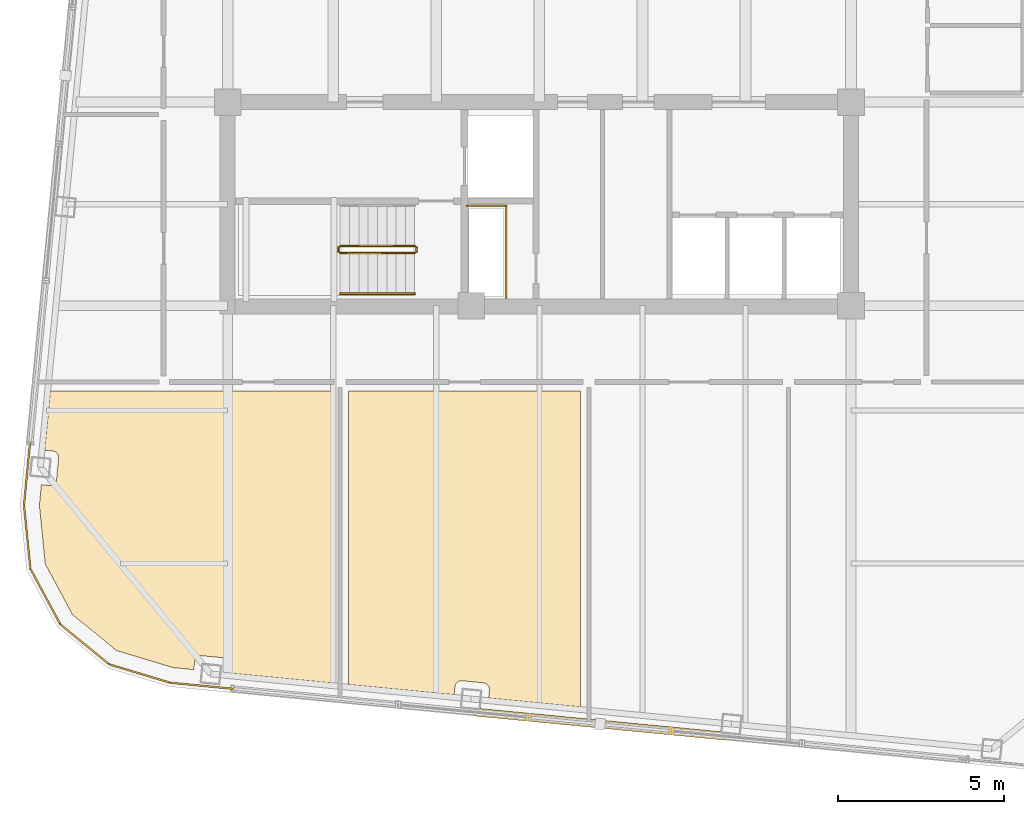
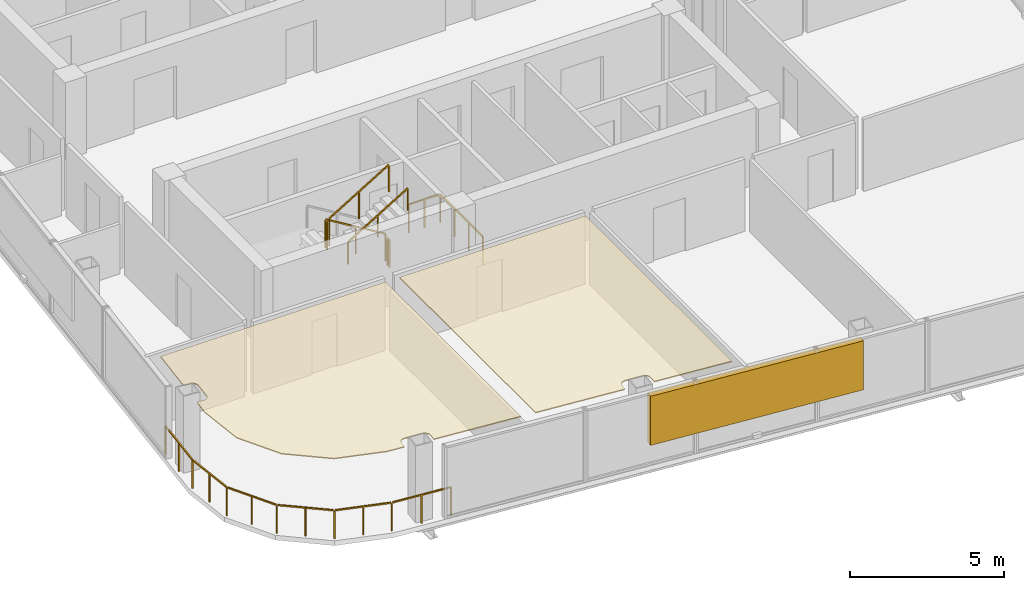
# One storey, part 20 of 23: 7 railings, 2 coverings, 1 shading device.
"""IFC4 building model written with IfcOpenShell, lengths in metres."""

from ifc_helpers import new_model, si_unit, direction, frame, origin, origin_2d, place, context, subcontext, project, spatial, polyline, rectangle, outline, extrude, material, layer, layer_set, type_object, element, save


model = new_model("IFC4")

# Units and contexts
model_context = context("Model", 3, precision=1e-05, world=origin(), true_north=direction((0.0, 1.0)))
body_context = subcontext(model_context, "Body", "Model", "MODEL_VIEW")
ifc_project = project(units=[si_unit("LENGTHUNIT", "METRE"), si_unit("AREAUNIT", "SQUARE_METRE"), si_unit("VOLUMEUNIT", "CUBIC_METRE"), si_unit("PLANEANGLEUNIT", "RADIAN"), si_unit("MASSUNIT", "GRAM", prefix="KILO")], contexts=[model_context])

# Site, building, storey
site_placement = place(None, origin())
site = spatial("IfcSite", under=ifc_project, at=site_placement, CompositionType="ELEMENT")
building_placement = place(site_placement, origin())
building = spatial("IfcBuilding", under=site, at=building_placement, Name="Qhalaya Broadcast Tower", CompositionType="ELEMENT")
storey_placement = place(building_placement, frame((0.0, 0.0, 264.199951171875)))
storey = spatial("IfcBuildingStorey", under=building, at=storey_placement, Name="L78", CompositionType="ELEMENT", Elevation=264.199951171875)

# Coverings
ifc_material_1 = material(Name="Acoustic Mineral-Fibre Ceiling")
ifc_layer = layer(ifc_material_1, 0.0400390625, Name="Acoustic Mineral-Fibre Ceiling")
ifc_layer_set = layer_set([ifc_layer], Name="Acoustic Mineral-Fibre Ceiling")
covering_type = type_object("IfcCoveringType", Name="Acoustic Mineral-Fibre Suspended Ceiling CLG-01", PredefinedType="CEILING", material=ifc_layer_set)
covering_1_placement = place(storey_placement, frame((0.0, 0.0, 2.820068359375)))
element("IfcCovering", 1, at=covering_1_placement, inside=storey, type_object=covering_type, Name="L78 Acoustic Suspended Ceiling 01", PredefinedType="CEILING", context=body_context, shape_type="SweptSolid", body=[
    extrude(outline(polyline([(-9.357666015625, -19.798583984375), (-6.260009765625, -20.096923828125), (-6.260009765625, -11.31005859375), (-14.708740234375, -11.31005859375), (-14.880859375, -13.098388671875), (-14.64208984375, -13.121337890625), (-14.62255859375, -13.124267578125), (-14.603515625, -13.12890625), (-14.585205078125, -13.135498046875), (-14.5673828125, -13.143798828125), (-14.550537109375, -13.15380859375), (-14.53466796875, -13.16552734375), (-14.52001953125, -13.1787109375), (-14.5068359375, -13.193359375), (-14.4951171875, -13.208984375), (-14.485107421875, -13.225830078125), (-14.4765625, -13.243408203125), (-14.469970703125, -13.261962890625), (-14.465087890625, -13.281005859375), (-14.462158203125, -13.30029296875), (-14.461181640625, -13.320068359375), (-14.462158203125, -13.339599609375), (-14.5234375, -13.976806640625), (-14.5263671875, -13.99609375), (-14.531005859375, -14.01513671875), (-14.53759765625, -14.03369140625), (-14.5458984375, -14.051513671875), (-14.555908203125, -14.068359375), (-14.567626953125, -14.083984375), (-14.580810546875, -14.0986328125), (-14.59521484375, -14.11181640625), (-14.611083984375, -14.12353515625), (-14.627685546875, -14.1337890625), (-14.6455078125, -14.14208984375), (-14.6640625, -14.14892578125), (-14.68310546875, -14.15380859375), (-14.702392578125, -14.156494140625), (-14.721923828125, -14.15771484375), (-14.74169921875, -14.15673828125), (-14.980712890625, -14.1337890625), (-15.040283203125, -14.753662109375), (-14.8623046875, -16.523193359375), (-14.048095703125, -18.038330078125), (-12.7158203125, -19.126708984375), (-11.012939453125, -19.63916015625), (-10.392822265625, -19.698974609375), (-10.3701171875, -19.460205078125), (-10.3671875, -19.440673828125), (-10.3623046875, -19.421630859375), (-10.35595703125, -19.4033203125), (-10.347412109375, -19.385498046875), (-10.33740234375, -19.36865234375), (-10.32568359375, -19.352783203125), (-10.3125, -19.338134765625), (-10.298095703125, -19.324951171875), (-10.282470703125, -19.313232421875), (-10.265625, -19.302978515625), (-10.247802734375, -19.294677734375), (-10.2294921875, -19.2880859375), (-10.21044921875, -19.283203125), (-10.19091796875, -19.2802734375), (-10.17138671875, -19.279296875), (-10.151611328125, -19.2802734375), (-9.5146484375, -19.341552734375), (-9.4951171875, -19.344482421875), (-9.476318359375, -19.34912109375), (-9.457763671875, -19.355712890625), (-9.43994140625, -19.364013671875), (-9.423095703125, -19.3740234375), (-9.4072265625, -19.3857421875), (-9.392578125, -19.39892578125), (-9.37939453125, -19.413330078125), (-9.367919921875, -19.42919921875), (-9.357666015625, -19.44580078125), (-9.34912109375, -19.463623046875), (-9.342529296875, -19.482177734375), (-9.337646484375, -19.501220703125), (-9.334716796875, -19.5205078125), (-9.333740234375, -19.5400390625), (-9.334716796875, -19.559814453125), (-9.357666015625, -19.798583984375)])), origin(), (0.0, 0.0, 1.0), 0.0400390625),
])
covering_2_placement = place(storey_placement, frame((0.0, 0.0, 2.820068359375)))
element("IfcCovering", 2, at=covering_2_placement, inside=storey, type_object=covering_type, Name="L78 Acoustic Suspended Ceiling 02", PredefinedType="CEILING", context=body_context, shape_type="SweptSolid", body=[
    extrude(outline(polyline([(1.239990234375, -20.819091796875), (1.239990234375, -11.31005859375), (-5.739990234375, -11.31005859375), (-5.739990234375, -20.14697265625), (-2.5625, -20.452880859375), (-2.53955078125, -20.214111328125), (-2.53662109375, -20.194580078125), (-2.531982421875, -20.175537109375), (-2.525390625, -20.156982421875), (-2.51708984375, -20.139404296875), (-2.507080078125, -20.12255859375), (-2.495361328125, -20.106689453125), (-2.482177734375, -20.092041015625), (-2.467529296875, -20.078857421875), (-2.451904296875, -20.067138671875), (-2.43505859375, -20.056884765625), (-2.41748046875, -20.048583984375), (-2.39892578125, -20.0419921875), (-2.3798828125, -20.037109375), (-2.360595703125, -20.0341796875), (-2.3408203125, -20.033203125), (-2.3212890625, -20.0341796875), (-1.68408203125, -20.095458984375), (-1.664794921875, -20.098388671875), (-1.645751953125, -20.10302734375), (-1.627197265625, -20.109619140625), (-1.609375, -20.117919921875), (-1.592529296875, -20.1279296875), (-1.576904296875, -20.1396484375), (-1.562255859375, -20.15283203125), (-1.549072265625, -20.167236328125), (-1.537353515625, -20.18310546875), (-1.527099609375, -20.19970703125), (-1.518798828125, -20.217529296875), (-1.511962890625, -20.236083984375), (-1.507080078125, -20.2548828125), (-1.50439453125, -20.2744140625), (-1.50341796875, -20.2939453125), (-1.504150390625, -20.313720703125), (-1.527099609375, -20.552490234375), (1.239990234375, -20.819091796875)])), origin(), (0.0, 0.0, 1.0), 0.0400390625),
])

# Railings
ifc_material_2 = material(Name="Powder-Coated Galvanised Steel", Category="steel")
railing_type_1 = type_object("IfcRailingType", Name="Stair Wall Handrail 900", PredefinedType="HANDRAIL", material=ifc_material_2)
railing_1_placement = place(storey_placement, frame((-5.989990234375, -8.389892578125, 1.694580078125)))
element("IfcRailing", 3, at=railing_1_placement, inside=storey, type_object=railing_type_1, Name="L78 ST-2 Stair Handrail 2", PredefinedType="HANDRAIL", context=body_context, shape_type="SweptSolid", body=[
    extrude(rectangle(XDim=0.048095703125, YDim=0.048095703125, at=origin_2d()), frame((0.0, 0.0, 0.8759765625), z_axis=(0.855553338991, 0.0, 0.51771467445), x_axis=(0.0, 1.0, 0.0)), (0.0, 0.0, 1.0), 2.6181640625),
    extrude(rectangle(XDim=0.0419921875, YDim=0.0419921875, at=origin_2d()), origin(), (0.0, 0.0, 1.0), 0.849853515625),
    extrude(rectangle(XDim=0.0419921875, YDim=0.0419921875, at=origin_2d()), frame((1.1201171875, 0.0, 0.677734375)), (0.0, 0.0, 1.0), 0.849853515625),
    extrude(rectangle(XDim=0.0419921875, YDim=0.0419921875, at=origin_2d()), frame((2.239990234375, 0.0, 1.35546875)), (0.0, 0.0, 1.0), 0.849853515625),
])
railing_type_2 = type_object("IfcRailingType", Name="Stair Well & Landing Guardrail 1100", PredefinedType="GUARDRAIL", material=ifc_material_2)
railing_2_placement = place(storey_placement, frame((-1.0, -8.52001953125, 0.0)))
element("IfcRailing", 4, at=railing_2_placement, inside=storey, type_object=railing_type_2, Name="L78 Service Riser Opening Safety Guard SRSR", PredefinedType="GUARDRAIL", context=body_context, shape_type="SweptSolid", body=[
    extrude(rectangle(XDim=0.048095703125, YDim=0.048095703125, at=origin_2d()), frame((0.0, 0.0, 1.1259765625), z_axis=(0.0, 1.0, 0.0), x_axis=(-1.0, 0.0, 0.0)), (0.0, 0.0, 1.0), 2.751220703125),
    extrude(rectangle(XDim=0.048095703125, YDim=0.048095703125, at=origin_2d()), frame((-0.02880859375, 2.780029296875, 1.1259765625), z_axis=(-1.0, 0.0, 0.0), x_axis=(0.0, -1.0, 0.0)), (0.0, 0.0, 1.0), 1.151123046875),
    extrude(rectangle(XDim=0.0419921875, YDim=0.0419921875, at=origin_2d()), origin(), (0.0, 0.0, 1.0), 1.099853515625),
    extrude(rectangle(XDim=0.0419921875, YDim=0.0419921875, at=origin_2d()), frame((0.0, 0.9267578125, 0.0)), (0.0, 0.0, 1.0), 1.099853515625),
    extrude(rectangle(XDim=0.0419921875, YDim=0.0419921875, at=origin_2d()), frame((0.0, 1.853271484375, 0.0)), (0.0, 0.0, 1.0), 1.099853515625),
    extrude(rectangle(XDim=0.0419921875, YDim=0.0419921875, at=origin_2d()), frame((0.0, 2.780029296875, 0.0)), (0.0, 0.0, 1.0), 1.099853515625),
    extrude(rectangle(XDim=0.0419921875, YDim=0.0419921875, at=origin_2d()), frame((-0.58984375, 2.780029296875, 0.0)), (0.0, 0.0, 1.0), 1.099853515625),
    extrude(rectangle(XDim=0.0419921875, YDim=0.0419921875, at=origin_2d()), frame((-1.179931640625, 2.780029296875, 0.0)), (0.0, 0.0, 1.0), 1.099853515625),
])
railing_3_placement = place(storey_placement, frame((-3.75, -6.949951171875, 0.16943359375)))
element("IfcRailing", 5, at=railing_3_placement, inside=storey, type_object=railing_type_2, Name="L78 ST-2 Stair Guard 1", PredefinedType="GUARDRAIL", context=body_context, shape_type="SweptSolid", body=[
    extrude(rectangle(XDim=0.048095703125, YDim=0.048095703125, at=origin_2d()), frame((0.0, 0.0, 1.076171875), z_axis=(-0.855512035549, 0.0, 0.517782924622), x_axis=(0.0, -1.0, 0.0)), (0.0, 0.0, 1.0), 2.618408203125),
    extrude(rectangle(XDim=0.0419921875, YDim=0.0419921875, at=origin_2d()), origin(), (0.0, 0.0, 1.0), 1.050048828125),
    extrude(rectangle(XDim=0.0419921875, YDim=0.0419921875, at=origin_2d()), frame((-1.1201171875, 0.0, 0.677734375)), (0.0, 0.0, 1.0), 1.050048828125),
    extrude(rectangle(XDim=0.0419921875, YDim=0.0419921875, at=origin_2d()), frame((-2.239990234375, 0.0, 1.355712890625)), (0.0, 0.0, 1.0), 1.050048828125),
])
railing_4_placement = place(storey_placement, frame((-6.0400390625, -7.0, 1.525146484375)))
element("IfcRailing", 6, at=railing_4_placement, inside=storey, type_object=railing_type_2, Name="L78 ST-2 Stair Guard 2", PredefinedType="GUARDRAIL", context=body_context, shape_type="SweptSolid", body=[
    extrude(rectangle(XDim=0.048095703125, YDim=0.048095703125, at=origin_2d()), frame((0.0, 0.0, 1.076171875), z_axis=(0.0, -1.0, 0.0), x_axis=(1.0, 0.0, 0.0)), (0.0, 0.0, 1.0), 0.1201171875),
    extrude(rectangle(XDim=0.0419921875, YDim=0.0419921875, at=origin_2d()), origin(), (0.0, 0.0, 1.0), 1.050048828125),
    extrude(rectangle(XDim=0.0419921875, YDim=0.0419921875, at=origin_2d()), frame((0.0, -0.1201171875, 0.0)), (0.0, 0.0, 1.0), 1.050048828125),
])
railing_5_placement = place(storey_placement, frame((-5.989990234375, -7.169921875, 1.694580078125)))
element("IfcRailing", 7, at=railing_5_placement, inside=storey, type_object=railing_type_2, Name="L78 ST-2 Stair Guard 3", PredefinedType="GUARDRAIL", context=body_context, shape_type="SweptSolid", body=[
    extrude(rectangle(XDim=0.048095703125, YDim=0.048095703125, at=origin_2d()), frame((0.0, 0.0, 1.076171875), z_axis=(0.855553338991, 0.0, 0.51771467445), x_axis=(0.0, 1.0, 0.0)), (0.0, 0.0, 1.0), 2.6181640625),
    extrude(rectangle(XDim=0.0419921875, YDim=0.0419921875, at=origin_2d()), origin(), (0.0, 0.0, 1.0), 1.050048828125),
    extrude(rectangle(XDim=0.0419921875, YDim=0.0419921875, at=origin_2d()), frame((1.1201171875, 0.0, 0.677734375)), (0.0, 0.0, 1.0), 1.050048828125),
    extrude(rectangle(XDim=0.0419921875, YDim=0.0419921875, at=origin_2d()), frame((2.239990234375, 0.0, 1.35546875)), (0.0, 0.0, 1.0), 1.050048828125),
])
railing_6_placement = place(storey_placement, frame((-3.699951171875, -7.0, 0.0)))
element("IfcRailing", 8, at=railing_6_placement, inside=storey, type_object=railing_type_2, Name="L78 ST-2 Stair Guard 4", PredefinedType="GUARDRAIL", context=body_context, shape_type="SweptSolid", body=[
    extrude(rectangle(XDim=0.048095703125, YDim=0.048095703125, at=origin_2d()), frame((0.0, 0.0, 1.076171875), z_axis=(0.0, -1.0, 0.0), x_axis=(1.0, 0.0, 0.0)), (0.0, 0.0, 1.0), 0.1201171875),
    extrude(rectangle(XDim=0.0419921875, YDim=0.0419921875, at=origin_2d()), origin(), (0.0, 0.0, 1.0), 1.050048828125),
    extrude(rectangle(XDim=0.0419921875, YDim=0.0419921875, at=origin_2d()), frame((0.0, -0.1201171875, 0.0)), (0.0, 0.0, 1.0), 1.050048828125),
])
railing_type_3 = type_object("IfcRailingType", Name="Terrace, Sky-Pool & Lookout Glass Balustrade 1150", PredefinedType="BALUSTRADE", material=ifc_material_2)
railing_7_placement = place(storey_placement, frame((-8.99365234375, -20.2958984375, 0.0)))
element("IfcRailing", 9, at=railing_7_placement, inside=storey, type_object=railing_type_3, Name="L78 Rounded Corner Perimeter Guard 02", PredefinedType="BALUSTRADE", context=body_context, shape_type="SweptSolid", body=[
    extrude(rectangle(XDim=0.048095703125, YDim=0.048095703125, at=origin_2d()), frame((0.0, 0.0, 1.1259765625), z_axis=(-0.995391273094, 0.095896889673, 0.0), x_axis=(-0.095896889673, -0.995391273094, 0.0)), (0.0, 0.0, 1.0), 2.08935546875),
    extrude(rectangle(XDim=0.048095703125, YDim=0.048095703125, at=origin_2d()), frame((-2.135986328125, 0.21142578125, 1.1259765625), z_axis=(-0.957601447485, 0.288096282124, 0.0), x_axis=(-0.288096282124, -0.957601447485, 0.0)), (0.0, 0.0, 1.0), 1.857421875),
    extrude(rectangle(XDim=0.048095703125, YDim=0.048095703125, at=origin_2d()), frame((-3.96484375, 0.773193359375, 1.1259765625), z_axis=(-0.774357190213, 0.63274871945, 0.0), x_axis=(-0.63274871945, -0.774357190213, 0.0)), (0.0, 0.0, 1.0), 1.845703125),
    extrude(rectangle(XDim=0.048095703125, YDim=0.048095703125, at=origin_2d()), frame((-5.429931640625, 1.984619140625, 1.1259765625), z_axis=(-0.473342342286, 0.880878554058, 0.0), x_axis=(-0.880878554058, -0.473342342286, 0.0)), (0.0, 0.0, 1.0), 1.845458984375),
    extrude(rectangle(XDim=0.048095703125, YDim=0.048095703125, at=origin_2d()), frame((-6.320068359375, 3.66455078125, 1.1259765625), z_axis=(-0.100071682341, 0.994980230152, 0.0), x_axis=(-0.994980230152, -0.100071682341, 0.0)), (0.0, 0.0, 1.0), 1.857421875),
    extrude(rectangle(XDim=0.048095703125, YDim=0.048095703125, at=origin_2d()), frame((-6.506103515625, 5.570068359375, 1.1259765625), z_axis=(0.095782687057, 0.995402268864, 0.0), x_axis=(-0.995402268864, 0.095782687057, 0.0)), (0.0, 0.0, 1.0), 2.08935546875),
    extrude(rectangle(XDim=0.0419921875, YDim=0.0419921875, at=origin_2d()), origin(), (0.0, 0.0, 1.0), 1.099853515625),
    extrude(rectangle(XDim=0.0419921875, YDim=0.0419921875, at=origin_2d()), frame((-1.05419921875, 0.1015625, 0.0)), (0.0, 0.0, 1.0), 1.099853515625),
    extrude(rectangle(XDim=0.0419921875, YDim=0.0419921875, at=origin_2d()), frame((-2.1083984375, 0.203125, 0.0)), (0.0, 0.0, 1.0), 1.099853515625),
    extrude(rectangle(XDim=0.0419921875, YDim=0.0419921875, at=origin_2d()), frame((-3.025390625, 0.47900390625, 0.0)), (0.0, 0.0, 1.0), 1.099853515625),
    extrude(rectangle(XDim=0.0419921875, YDim=0.0419921875, at=origin_2d()), frame((-3.9423828125, 0.7548828125, 0.0)), (0.0, 0.0, 1.0), 1.099853515625),
    extrude(rectangle(XDim=0.0419921875, YDim=0.0419921875, at=origin_2d()), frame((-4.67919921875, 1.35693359375, 0.0)), (0.0, 0.0, 1.0), 1.099853515625),
    extrude(rectangle(XDim=0.0419921875, YDim=0.0419921875, at=origin_2d()), frame((-5.416259765625, 1.959228515625, 0.0)), (0.0, 0.0, 1.0), 1.099853515625),
    extrude(rectangle(XDim=0.0419921875, YDim=0.0419921875, at=origin_2d()), frame((-5.86669921875, 2.79736328125, 0.0)), (0.0, 0.0, 1.0), 1.099853515625),
    extrude(rectangle(XDim=0.0419921875, YDim=0.0419921875, at=origin_2d()), frame((-6.317138671875, 3.6357421875, 0.0)), (0.0, 0.0, 1.0), 1.099853515625),
    extrude(rectangle(XDim=0.0419921875, YDim=0.0419921875, at=origin_2d()), frame((-6.4130859375, 4.58837890625, 0.0)), (0.0, 0.0, 1.0), 1.099853515625),
    extrude(rectangle(XDim=0.0419921875, YDim=0.0419921875, at=origin_2d()), frame((-6.5087890625, 5.541259765625, 0.0)), (0.0, 0.0, 1.0), 1.099853515625),
    extrude(rectangle(XDim=0.0419921875, YDim=0.0419921875, at=origin_2d()), frame((-6.4072265625, 6.595458984375, 0.0)), (0.0, 0.0, 1.0), 1.099853515625),
    extrude(rectangle(XDim=0.0419921875, YDim=0.0419921875, at=origin_2d()), frame((-6.305908203125, 7.649658203125, 0.0)), (0.0, 0.0, 1.0), 1.099853515625),
])

# Shading device
ifc_material_3 = material(Name="Fired Architectural Terracotta", Category="masonry")
shading_device_type = type_object("IfcShadingDeviceType", Name="Terracotta Baguette Solar Screen Assembly TBS-01", PredefinedType="USERDEFINED", material=ifc_material_3)
shading_device_placement = place(storey_placement, frame((1.826171875, -21.337646484375, 0.80078125), z_axis=(0.0, 0.0, 1.0), x_axis=(0.995396198367, -0.09584575252, 0.0)))
element("IfcShadingDevice", 10, at=shading_device_placement, inside=storey, type_object=shading_device_type, Name="L78 Fired Terracotta Baguette Screen S", ObjectType="BAGUETTE", PredefinedType="USERDEFINED", context=body_context, shape_type="SweptSolid", body=[
    extrude(rectangle(XDim=7.60009765625, YDim=0.239990234375, at=origin_2d()), origin(), (0.0, 0.0, 1.0), 1.945068359375),
])

save(model, "model.ifc")
